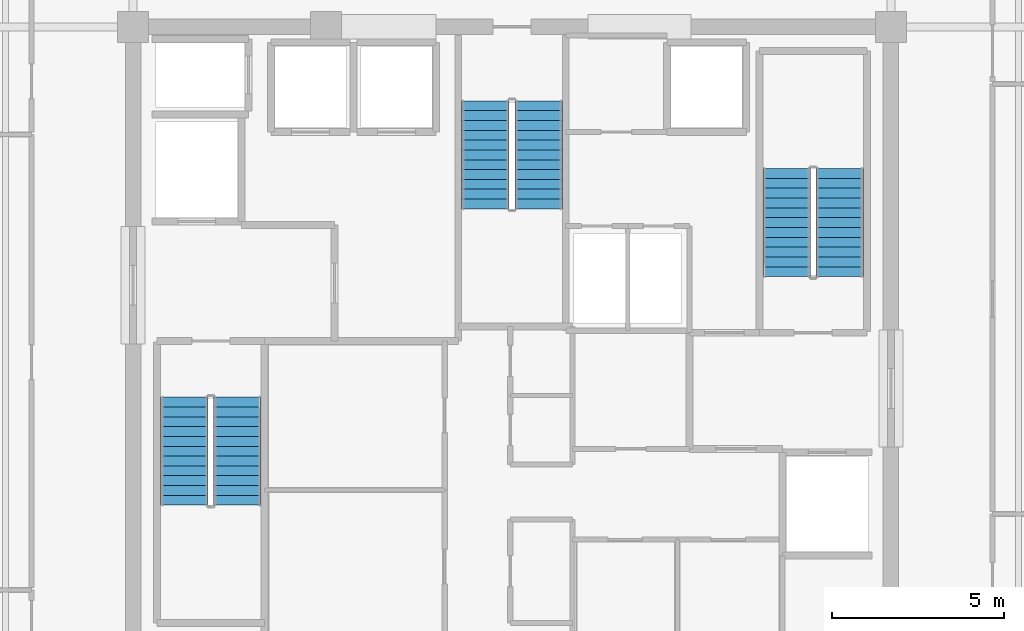
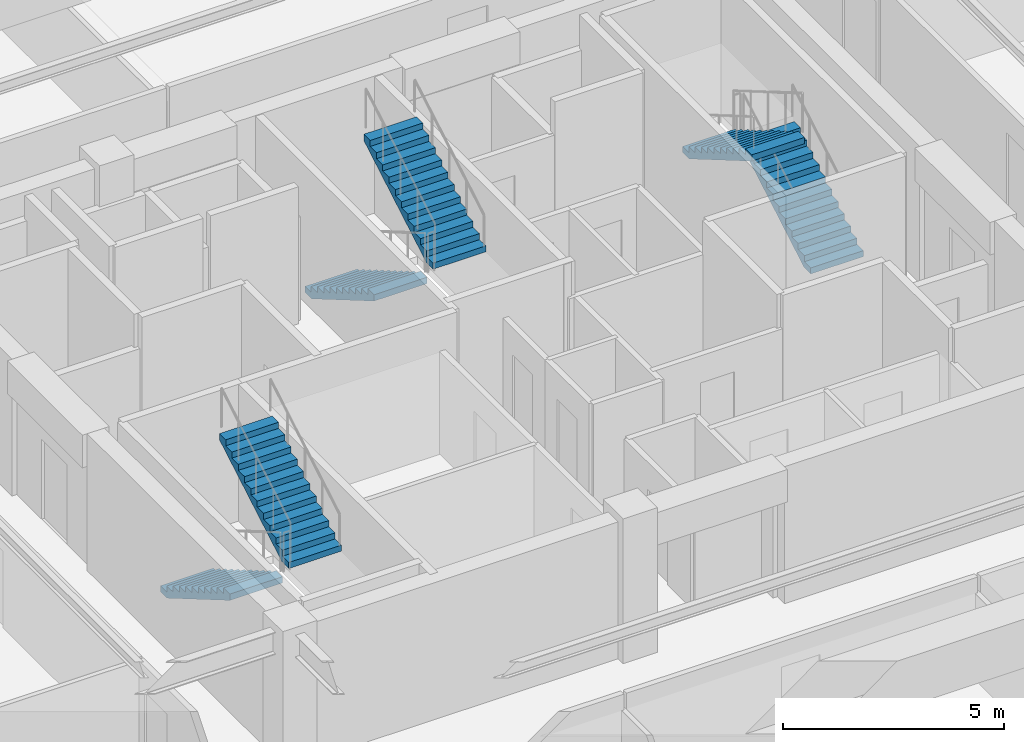
# One storey, part 16 of 20: 6 stair flights, 3 elements without a shape of their own.
"""IFC4 building model written with IfcOpenShell, lengths in metres."""

from ifc_helpers import new_model, si_unit, direction, frame, origin, place, context, subcontext, project, spatial, polyline, outline, extrude, material, type_object, element, aggregate, save


model = new_model("IFC4")

# Units and contexts
model_context = context("Model", 3, precision=1e-05, world=origin(), true_north=direction((0.0, 1.0)))
body_context = subcontext(model_context, "Body", "Model", "MODEL_VIEW")
ifc_project = project(units=[si_unit("LENGTHUNIT", "METRE"), si_unit("AREAUNIT", "SQUARE_METRE"), si_unit("VOLUMEUNIT", "CUBIC_METRE"), si_unit("PLANEANGLEUNIT", "RADIAN"), si_unit("MASSUNIT", "GRAM", prefix="KILO")], contexts=[model_context])

# Site, building, storey
site_placement = place(None, origin())
site = spatial("IfcSite", under=ifc_project, at=site_placement, CompositionType="ELEMENT")
building_placement = place(site_placement, origin())
building = spatial("IfcBuilding", under=site, at=building_placement, Name="Kovane Verandah Tower", CompositionType="ELEMENT")
storey_placement = place(building_placement, frame((0.0, 0.0, 279.199951171875)))
storey = spatial("IfcBuildingStorey", under=building, at=storey_placement, Name="L65", CompositionType="ELEMENT", Elevation=279.199951171875)

# Stair, stair flights
ifc_material = material(Name="Concrete C45/55", Category="concrete")
stair_type = type_object("IfcStairType", Name="ST-CORE-1380", PredefinedType="HALF_TURN_STAIR", material=ifc_material)
stair_1_placement = place(storey_placement, origin())
stair_1 = element("IfcStair", 1, at=stair_1_placement, inside=storey, type_object=stair_type, Name="L65 Exit Stair ST-01", PredefinedType="HALF_TURN_STAIR")
stair_flight_type = type_object("IfcStairFlightType", Name="STF-CORE-1380", PredefinedType="STRAIGHT", material=ifc_material)
stair_flight_1_placement = place(storey_placement, frame((30.489990234375, 25.75, 0.0), z_axis=(0.0, 0.0, 1.0), x_axis=(0.0, -1.0, 0.0)))
stair_flight_1 = element("IfcStairFlight", 2, at=stair_flight_1_placement, type_object=stair_flight_type, Name="ST-01 flight 1", NumberOfRisers=12, NumberOfTreads=11, PredefinedType="STRAIGHT", RiserHeight=0.166666667, TreadLength=0.285, context=body_context, shape_type="SweptSolid", body=[
    extrude(outline(polyline([(0.0, 0.0), (0.0, 0.166748046875), (0.284912109375, 0.166748046875), (0.284912109375, 0.333251953125), (0.570068359375, 0.333251953125), (0.570068359375, 0.5), (0.85498046875, 0.5), (0.85498046875, 0.666748046875), (1.139892578125, 0.666748046875), (1.139892578125, 0.833251953125), (1.425048828125, 0.833251953125), (1.425048828125, 1.0), (1.7099609375, 1.0), (1.7099609375, 1.166748046875), (1.9951171875, 1.166748046875), (1.9951171875, 1.333251953125), (2.280029296875, 1.333251953125), (2.280029296875, 1.5), (2.56494140625, 1.5), (2.56494140625, 1.666748046875), (2.85009765625, 1.666748046875), (2.85009765625, 1.833251953125), (3.135009765625, 1.833251953125), (3.135009765625, 2.0), (3.135009765625, 1.65966796875), (0.296875, 0.0), (0.0, 0.0)])), frame((0.0, 0.68994140625, 0.0), z_axis=(0.0, -1.0, 0.0), x_axis=(1.0, 0.0, 0.0)), (0.0, 0.0, 1.0), 1.3798828125),
])
stair_flight_2_placement = place(storey_placement, frame((32.030029296875, 22.614990234375, 2.0), z_axis=(0.0, 0.0, 1.0), x_axis=(0.0, 1.0, 0.0)))
stair_flight_2 = element("IfcStairFlight", 3, at=stair_flight_2_placement, type_object=stair_flight_type, Name="ST-01 flight 2", NumberOfRisers=12, NumberOfTreads=11, PredefinedType="STRAIGHT", RiserHeight=0.166666667, TreadLength=0.285, context=body_context, shape_type="SweptSolid", body=[
    extrude(outline(polyline([(0.0, 0.0), (0.0, 0.166748046875), (0.284912109375, 0.166748046875), (0.284912109375, 0.333251953125), (0.570068359375, 0.333251953125), (0.570068359375, 0.5), (0.85498046875, 0.5), (0.85498046875, 0.666748046875), (1.139892578125, 0.666748046875), (1.139892578125, 0.833251953125), (1.425048828125, 0.833251953125), (1.425048828125, 1.0), (1.7099609375, 1.0), (1.7099609375, 1.166748046875), (1.9951171875, 1.166748046875), (1.9951171875, 1.333251953125), (2.280029296875, 1.333251953125), (2.280029296875, 1.5), (2.56494140625, 1.5), (2.56494140625, 1.666748046875), (2.85009765625, 1.666748046875), (2.85009765625, 1.833251953125), (3.135009765625, 1.833251953125), (3.135009765625, 2.0), (3.135009765625, 1.65966796875), (0.296875, 0.0), (0.0, 0.0)])), frame((0.0, 0.68994140625, 0.0), z_axis=(0.0, -1.0, 0.0), x_axis=(1.0, 0.0, 0.0)), (0.0, 0.0, 1.0), 1.3798828125),
])
aggregate(stair_1, [stair_flight_1, stair_flight_2])

stair_2_placement = place(storey_placement, origin())
stair_2 = element("IfcStair", 4, at=stair_2_placement, inside=storey, type_object=stair_type, Name="L65 Exit Stair ST-02", PredefinedType="HALF_TURN_STAIR")
stair_flight_3_placement = place(storey_placement, frame((49.510009765625, 29.25, 0.0), z_axis=(0.0, 0.0, 1.0), x_axis=(0.0, 1.0, 0.0)))
stair_flight_3 = element("IfcStairFlight", 5, at=stair_flight_3_placement, type_object=stair_flight_type, Name="ST-02 flight 1", NumberOfRisers=12, NumberOfTreads=11, PredefinedType="STRAIGHT", RiserHeight=0.166666667, TreadLength=0.285, context=body_context, shape_type="SweptSolid", body=[
    extrude(outline(polyline([(0.0, 0.0), (0.0, 0.166748046875), (0.284912109375, 0.166748046875), (0.284912109375, 0.333251953125), (0.570068359375, 0.333251953125), (0.570068359375, 0.5), (0.85498046875, 0.5), (0.85498046875, 0.666748046875), (1.139892578125, 0.666748046875), (1.139892578125, 0.833251953125), (1.425048828125, 0.833251953125), (1.425048828125, 1.0), (1.7099609375, 1.0), (1.7099609375, 1.166748046875), (1.9951171875, 1.166748046875), (1.9951171875, 1.333251953125), (2.280029296875, 1.333251953125), (2.280029296875, 1.5), (2.56494140625, 1.5), (2.56494140625, 1.666748046875), (2.85009765625, 1.666748046875), (2.85009765625, 1.833251953125), (3.135009765625, 1.833251953125), (3.135009765625, 2.0), (3.135009765625, 1.65966796875), (0.296875, 0.0), (0.0, 0.0)])), frame((0.0, 0.68994140625, 0.0), z_axis=(0.0, -1.0, 0.0), x_axis=(1.0, 0.0, 0.0)), (0.0, 0.0, 1.0), 1.3798828125),
])
stair_flight_4_placement = place(storey_placement, frame((47.969970703125, 32.385009765625, 2.0), z_axis=(0.0, 0.0, 1.0), x_axis=(0.0, -1.0, 0.0)))
stair_flight_4 = element("IfcStairFlight", 6, at=stair_flight_4_placement, type_object=stair_flight_type, Name="ST-02 flight 2", NumberOfRisers=12, NumberOfTreads=11, PredefinedType="STRAIGHT", RiserHeight=0.166666667, TreadLength=0.285, context=body_context, shape_type="SweptSolid", body=[
    extrude(outline(polyline([(0.0, 0.0), (0.0, 0.166748046875), (0.284912109375, 0.166748046875), (0.284912109375, 0.333251953125), (0.570068359375, 0.333251953125), (0.570068359375, 0.5), (0.85498046875, 0.5), (0.85498046875, 0.666748046875), (1.139892578125, 0.666748046875), (1.139892578125, 0.833251953125), (1.425048828125, 0.833251953125), (1.425048828125, 1.0), (1.7099609375, 1.0), (1.7099609375, 1.166748046875), (1.9951171875, 1.166748046875), (1.9951171875, 1.333251953125), (2.280029296875, 1.333251953125), (2.280029296875, 1.5), (2.56494140625, 1.5), (2.56494140625, 1.666748046875), (2.85009765625, 1.666748046875), (2.85009765625, 1.833251953125), (3.135009765625, 1.833251953125), (3.135009765625, 2.0), (3.135009765625, 1.65966796875), (0.296875, 0.0), (0.0, 0.0)])), frame((0.0, 0.68994140625, 0.0), z_axis=(0.0, -1.0, 0.0), x_axis=(1.0, 0.0, 0.0)), (0.0, 0.0, 1.0), 1.3798828125),
])
aggregate(stair_2, [stair_flight_3, stair_flight_4])

stair_3_placement = place(storey_placement, origin())
stair_3 = element("IfcStair", 7, at=stair_3_placement, inside=storey, type_object=stair_type, Name="L65 Exit Stair ST-03", PredefinedType="HALF_TURN_STAIR")
stair_flight_5_placement = place(storey_placement, frame((39.22998046875, 34.35009765625, 0.0), z_axis=(0.0, 0.0, 1.0), x_axis=(0.0, -1.0, 0.0)))
stair_flight_5 = element("IfcStairFlight", 8, at=stair_flight_5_placement, type_object=stair_flight_type, Name="ST-03 flight 1", NumberOfRisers=12, NumberOfTreads=11, PredefinedType="STRAIGHT", RiserHeight=0.166666667, TreadLength=0.285, context=body_context, shape_type="SweptSolid", body=[
    extrude(outline(polyline([(0.0, 0.0), (0.0, 0.166748046875), (0.284912109375, 0.166748046875), (0.284912109375, 0.333251953125), (0.570068359375, 0.333251953125), (0.570068359375, 0.5), (0.85498046875, 0.5), (0.85498046875, 0.666748046875), (1.139892578125, 0.666748046875), (1.139892578125, 0.833251953125), (1.425048828125, 0.833251953125), (1.425048828125, 1.0), (1.7099609375, 1.0), (1.7099609375, 1.166748046875), (1.9951171875, 1.166748046875), (1.9951171875, 1.333251953125), (2.280029296875, 1.333251953125), (2.280029296875, 1.5), (2.56494140625, 1.5), (2.56494140625, 1.666748046875), (2.85009765625, 1.666748046875), (2.85009765625, 1.833251953125), (3.135009765625, 1.833251953125), (3.135009765625, 2.0), (3.135009765625, 1.65966796875), (0.296875, 0.0), (0.0, 0.0)])), frame((0.0, 0.68994140625, 0.0), z_axis=(0.0, -1.0, 0.0), x_axis=(1.0, 0.0, 0.0)), (0.0, 0.0, 1.0), 1.3798828125),
])
stair_flight_6_placement = place(storey_placement, frame((40.77001953125, 31.215087890625, 2.0), z_axis=(0.0, 0.0, 1.0), x_axis=(0.0, 1.0, 0.0)))
stair_flight_6 = element("IfcStairFlight", 9, at=stair_flight_6_placement, type_object=stair_flight_type, Name="ST-03 flight 2", NumberOfRisers=12, NumberOfTreads=11, PredefinedType="STRAIGHT", RiserHeight=0.166666667, TreadLength=0.285, context=body_context, shape_type="SweptSolid", body=[
    extrude(outline(polyline([(0.0, 0.0), (0.0, 0.166748046875), (0.284912109375, 0.166748046875), (0.284912109375, 0.333251953125), (0.570068359375, 0.333251953125), (0.570068359375, 0.5), (0.85498046875, 0.5), (0.85498046875, 0.666748046875), (1.139892578125, 0.666748046875), (1.139892578125, 0.833251953125), (1.425048828125, 0.833251953125), (1.425048828125, 1.0), (1.7099609375, 1.0), (1.7099609375, 1.166748046875), (1.9951171875, 1.166748046875), (1.9951171875, 1.333251953125), (2.280029296875, 1.333251953125), (2.280029296875, 1.5), (2.56494140625, 1.5), (2.56494140625, 1.666748046875), (2.85009765625, 1.666748046875), (2.85009765625, 1.833251953125), (3.135009765625, 1.833251953125), (3.135009765625, 2.0), (3.135009765625, 1.65966796875), (0.296875, 0.0), (0.0, 0.0)])), frame((0.0, 0.68994140625, 0.0), z_axis=(0.0, -1.0, 0.0), x_axis=(1.0, 0.0, 0.0)), (0.0, 0.0, 1.0), 1.3798828125),
])
aggregate(stair_3, [stair_flight_5, stair_flight_6])

save(model, "model.ifc")
